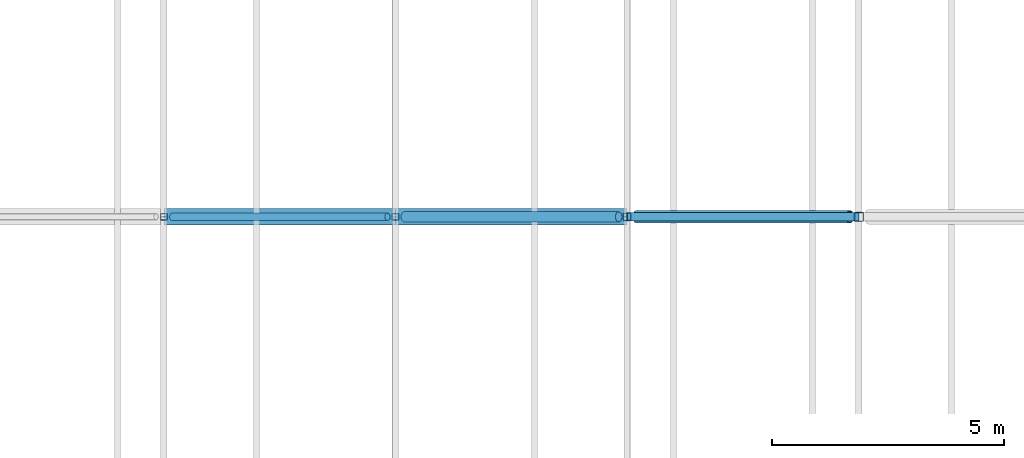
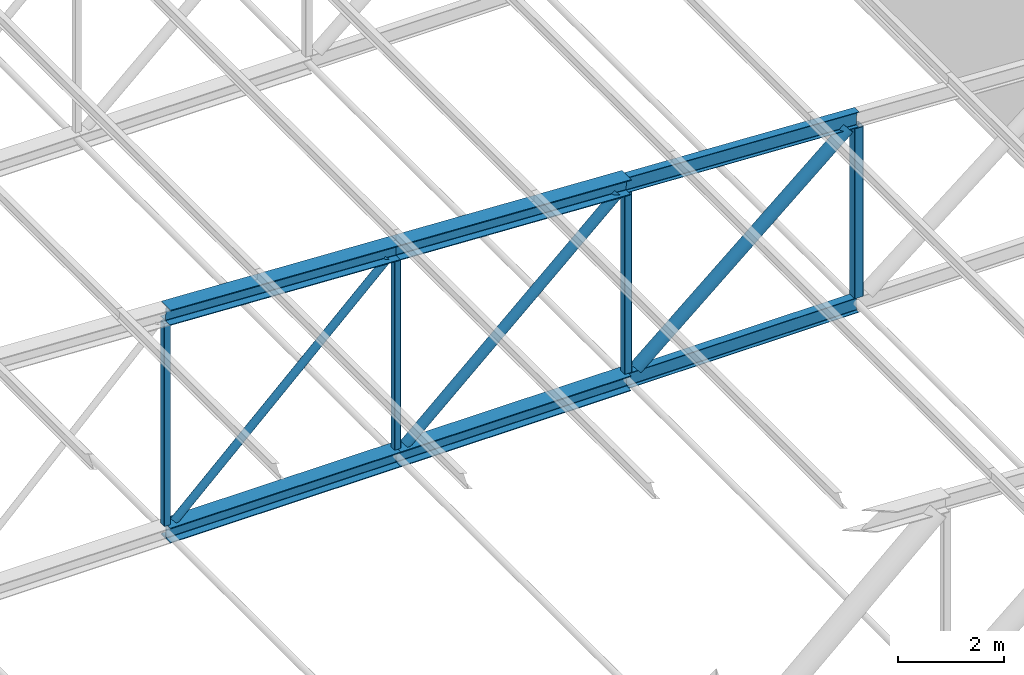
# One storey, part 117 of 156: 13 members.
"""IFC4 building model written with IfcOpenShell, lengths in metres."""

from ifc_helpers import new_model, si_unit, direction, frame, origin, origin_2d, place, context, subcontext, project, spatial, hollow_rectangle, hollow_circle, i_section, extrude, material, material_profile, profile_set, type_object, element, save


model = new_model("IFC4")

# Units and contexts
model_context = context("Model", 3, precision=1e-05, world=origin(), true_north=direction((0.0, 1.0)))
body_context = subcontext(model_context, "Body", "Model", "MODEL_VIEW")
ifc_project = project(units=[si_unit("LENGTHUNIT", "METRE"), si_unit("AREAUNIT", "SQUARE_METRE"), si_unit("VOLUMEUNIT", "CUBIC_METRE"), si_unit("PLANEANGLEUNIT", "RADIAN"), si_unit("MASSUNIT", "GRAM", prefix="KILO")], contexts=[model_context])

# Site, building, storey
site_placement = place(None, origin())
site = spatial("IfcSite", under=ifc_project, at=site_placement, CompositionType="ELEMENT")
building_placement = place(site_placement, origin())
building = spatial("IfcBuilding", under=site, at=building_placement, Name="Lilac Gate Convention Centre", CompositionType="ELEMENT")
storey_placement = place(building_placement, frame((0.0, 0.0, 17.0)))
storey = spatial("IfcBuildingStorey", under=building, at=storey_placement, Name="L03", CompositionType="ELEMENT", Elevation=17.0)

# Members
ifc_material = material(Name="Steel Q355B", Category="steel")
ifc_material_profile_1 = material_profile(ifc_material, i_section(OverallWidth=0.175048828125, OverallDepth=0.35009765625, WebThickness=0.007080078125, FlangeThickness=0.010986328125, FilletRadius=0.012939453125, at=origin_2d()), Name="HN350x175x7x11")
ifc_profile_set_1 = profile_set([ifc_material_profile_1], Name="Steel Q355B")
member_type_1 = type_object("IfcMemberType", Name="Truss bottom chord HN350x175x7x11", PredefinedType="CHORD", material=ifc_profile_set_1)
member_1_placement = place(storey_placement, frame((80.0, 162.0, 0.0), z_axis=(1.0, 0.0, 0.0), x_axis=(0.0, 1.0, 0.0)))
element("IfcMember", 1, at=member_1_placement, inside=storey, type_object=member_type_1, Name="TB1 truss 12 bottom chord 11", PredefinedType="CHORD", context=body_context, shape_type="SweptSolid", body=[
    extrude(i_section(OverallWidth=0.175048828125, OverallDepth=0.35009765625, WebThickness=0.007080078125, FlangeThickness=0.010986328125, FilletRadius=0.012939453125, at=origin_2d()), origin(), (0.0, 0.0, 1.0), 5.0),
])
ifc_material_profile_2 = material_profile(ifc_material, i_section(OverallWidth=0.35009765625, OverallDepth=0.35009765625, WebThickness=0.011962890625, FlangeThickness=0.01904296875, FilletRadius=0.012939453125, at=origin_2d()), Name="HW350x350x12x19")
ifc_profile_set_2 = profile_set([ifc_material_profile_2], Name="Steel Q355B")
member_type_2 = type_object("IfcMemberType", Name="Truss bottom chord HW350x350x12x19", PredefinedType="CHORD", material=ifc_profile_set_2)
for number, where, z_axis, x_axis, name in (
    (2, (70.0, 162.0, 0.0), (1.0, 0.0, 0.0), (0.0, 1.0, 0.0), "TB2 truss 12 bottom chord 9"),
    (3, (75.0, 162.0, 0.0), (1.0, 0.0, 0.0), (0.0, 1.0, 0.0), "TB2 truss 12 bottom chord 10"),
):
    element("IfcMember", number, at=place(storey_placement, frame(where, z_axis=z_axis, x_axis=x_axis)), inside=storey, type_object=member_type_2, Name=name, PredefinedType="CHORD", context=body_context, shape_type="SweptSolid", body=[
        extrude(i_section(OverallWidth=0.35009765625, OverallDepth=0.35009765625, WebThickness=0.011962890625, FlangeThickness=0.01904296875, FilletRadius=0.012939453125, at=origin_2d()), origin(), (0.0, 0.0, 1.0), 5.0),
    ])
ifc_material_profile_3 = material_profile(ifc_material, hollow_circle(Radius=0.084228515625, WallThickness=0.006103515625, at=origin_2d()), Name="CHS168.3x6")
ifc_profile_set_3 = profile_set([ifc_material_profile_3], Name="Steel Q355B")
member_type_3 = type_object("IfcMemberType", Name="Truss diagonal CHS168.3x6", PredefinedType="BRACE", material=ifc_profile_set_3)
member_2_placement = place(storey_placement, frame((74.8271484375, 162.0, 4.585693359375), z_axis=(-0.725020373275, 0.0, -0.688727419475), x_axis=(0.0, -1.0, 0.0)))
element("IfcMember", 4, at=member_2_placement, inside=storey, type_object=member_type_3, Name="TW4 truss 12 diagonal 9", PredefinedType="BRACE", context=body_context, shape_type="SweptSolid", body=[
    extrude(hollow_circle(Radius=0.084228515625, WallThickness=0.006103515625, at=origin_2d()), origin(), (0.0, 0.0, 1.0), 6.404052734375),
])
ifc_material_profile_4 = material_profile(ifc_material, hollow_circle(Radius=0.109619140625, WallThickness=0.008056640625, at=origin_2d()), Name="CHS219.1x8")
ifc_profile_set_4 = profile_set([ifc_material_profile_4], Name="Steel Q355B")
member_type_4 = type_object("IfcMemberType", Name="Truss diagonal CHS219.1x8", PredefinedType="BRACE", material=ifc_profile_set_4)
member_3_placement = place(storey_placement, frame((79.8173828125, 162.0, 4.335693359375), z_axis=(-0.743301953498, 0.0, -0.668956056797), x_axis=(0.0, -1.0, 0.0)))
element("IfcMember", 5, at=member_3_placement, inside=storey, type_object=member_type_4, Name="TW3 truss 12 diagonal 10", PredefinedType="BRACE", context=body_context, shape_type="SweptSolid", body=[
    extrude(hollow_circle(Radius=0.109619140625, WallThickness=0.008056640625, at=origin_2d()), origin(), (0.0, 0.0, 1.0), 6.2197265625),
])
ifc_material_profile_5 = material_profile(ifc_material, hollow_circle(Radius=0.136474609375, WallThickness=0.010009765625, at=origin_2d()), Name="CHS273x10")
ifc_profile_set_5 = profile_set([ifc_material_profile_5], Name="Steel Q355B")
member_type_5 = type_object("IfcMemberType", Name="Truss diagonal CHS273x10", PredefinedType="BRACE", material=ifc_profile_set_5)
member_4_placement = place(storey_placement, frame((84.806884765625, 162.0, 4.085693359375), z_axis=(-0.761961263863, 0.0, -0.647622600263), x_axis=(0.0, -1.0, 0.0)))
element("IfcMember", 6, at=member_4_placement, inside=storey, type_object=member_type_5, Name="TW2 truss 12 diagonal 11", PredefinedType="BRACE", context=body_context, shape_type="SweptSolid", body=[
    extrude(hollow_circle(Radius=0.136474609375, WallThickness=0.010009765625, at=origin_2d()), origin(), (0.0, 0.0, 1.0), 6.03857421875),
])
ifc_material_profile_6 = material_profile(ifc_material, i_section(OverallWidth=0.175048828125, OverallDepth=0.35009765625, WebThickness=0.007080078125, FlangeThickness=0.010986328125, FilletRadius=0.012939453125, at=origin_2d()), Name="HN350x175x7x11")
ifc_profile_set_6 = profile_set([ifc_material_profile_6], Name="Steel Q355B")
member_type_6 = type_object("IfcMemberType", Name="Truss top chord HN350x175x7x11", PredefinedType="CHORD", material=ifc_profile_set_6)
member_5_placement = place(storey_placement, frame((80.0, 162.0, 4.5), z_axis=(0.998752338878, 0.0, -0.049937616944), x_axis=(0.0, 1.0, 0.0)))
element("IfcMember", 7, at=member_5_placement, inside=storey, type_object=member_type_6, Name="TT1 truss 12 top chord 11", PredefinedType="CHORD", context=body_context, shape_type="SweptSolid", body=[
    extrude(i_section(OverallWidth=0.175048828125, OverallDepth=0.35009765625, WebThickness=0.007080078125, FlangeThickness=0.010986328125, FilletRadius=0.012939453125, at=origin_2d()), origin(), (0.0, 0.0, 1.0), 5.00634765625),
])
ifc_material_profile_7 = material_profile(ifc_material, i_section(OverallWidth=0.35009765625, OverallDepth=0.35009765625, WebThickness=0.011962890625, FlangeThickness=0.01904296875, FilletRadius=0.012939453125, at=origin_2d()), Name="HW350x350x12x19")
ifc_profile_set_7 = profile_set([ifc_material_profile_7], Name="Steel Q355B")
member_type_7 = type_object("IfcMemberType", Name="Truss top chord HW350x350x12x19", PredefinedType="CHORD", material=ifc_profile_set_7)
for number, where, z_axis, x_axis, name in (
    (8, (70.0, 162.0, 5.0), (0.998752338878, 0.0, -0.049937616944), (0.0, 1.0, 0.0), "TT2 truss 12 top chord 9"),
    (9, (75.0, 162.0, 4.75), (0.998752338878, 0.0, -0.049937616944), (0.0, 1.0, 0.0), "TT2 truss 12 top chord 10"),
):
    element("IfcMember", number, at=place(storey_placement, frame(where, z_axis=z_axis, x_axis=x_axis)), inside=storey, type_object=member_type_7, Name=name, PredefinedType="CHORD", context=body_context, shape_type="SweptSolid", body=[
        extrude(i_section(OverallWidth=0.35009765625, OverallDepth=0.35009765625, WebThickness=0.011962890625, FlangeThickness=0.01904296875, FilletRadius=0.012939453125, at=origin_2d()), origin(), (0.0, 0.0, 1.0), 5.00634765625),
    ])
ifc_material_profile_8 = material_profile(ifc_material, hollow_rectangle(XDim=0.139892578125, YDim=0.139892578125, WallThickness=0.0048828125, InnerFilletRadius=0.0048828125, OuterFilletRadius=0.010009765625, at=origin_2d()), Name="SHS140x140x5")
ifc_profile_set_8 = profile_set([ifc_material_profile_8], Name="Steel Q355B")
member_type_8 = type_object("IfcMemberType", Name="Truss vertical SHS140x140x5", PredefinedType="STRUT", material=ifc_profile_set_8)
member_6_placement = place(storey_placement, frame((70.0, 162.0, 0.175048828125), z_axis=(0.0, 0.0, 1.0), x_axis=(1.0, 0.0, 0.0)))
element("IfcMember", 10, at=member_6_placement, inside=storey, type_object=member_type_8, Name="TV4 truss 12 vertical 9", PredefinedType="STRUT", context=body_context, shape_type="SweptSolid", body=[
    extrude(hollow_rectangle(XDim=0.139892578125, YDim=0.139892578125, WallThickness=0.0048828125, InnerFilletRadius=0.0048828125, OuterFilletRadius=0.010009765625, at=origin_2d()), origin(), (0.0, 0.0, 1.0), 4.649658203125),
])
member_7_placement = place(storey_placement, frame((75.0, 162.0, 0.175048828125), z_axis=(0.0, 0.0, 1.0), x_axis=(1.0, 0.0, 0.0)))
element("IfcMember", 11, at=member_7_placement, inside=storey, type_object=member_type_8, Name="TV4 truss 12 vertical 10", PredefinedType="STRUT", context=body_context, shape_type="SweptSolid", body=[
    extrude(hollow_rectangle(XDim=0.139892578125, YDim=0.139892578125, WallThickness=0.0048828125, InnerFilletRadius=0.0048828125, OuterFilletRadius=0.010009765625, at=origin_2d()), origin(), (0.0, 0.0, 1.0), 4.399658203125),
])
ifc_material_profile_9 = material_profile(ifc_material, hollow_rectangle(XDim=0.159912109375, YDim=0.159912109375, WallThickness=0.006103515625, InnerFilletRadius=0.006103515625, OuterFilletRadius=0.011962890625, at=origin_2d()), Name="SHS160x160x6")
ifc_profile_set_9 = profile_set([ifc_material_profile_9], Name="Steel Q355B")
member_type_9 = type_object("IfcMemberType", Name="Truss vertical SHS160x160x6", PredefinedType="STRUT", material=ifc_profile_set_9)
member_8_placement = place(storey_placement, frame((80.0, 162.0, 0.175048828125), z_axis=(0.0, 0.0, 1.0), x_axis=(1.0, 0.0, 0.0)))
element("IfcMember", 12, at=member_8_placement, inside=storey, type_object=member_type_9, Name="TV3 truss 12 vertical 11", PredefinedType="STRUT", context=body_context, shape_type="SweptSolid", body=[
    extrude(hollow_rectangle(XDim=0.159912109375, YDim=0.159912109375, WallThickness=0.006103515625, InnerFilletRadius=0.006103515625, OuterFilletRadius=0.011962890625, at=origin_2d()), origin(), (0.0, 0.0, 1.0), 4.149658203125),
])
ifc_material_profile_10 = material_profile(ifc_material, hollow_rectangle(XDim=0.199951171875, YDim=0.199951171875, WallThickness=0.008056640625, InnerFilletRadius=0.011962890625, OuterFilletRadius=0.02001953125, at=origin_2d()), Name="SHS200x200x8")
ifc_profile_set_10 = profile_set([ifc_material_profile_10], Name="Steel Q355B")
member_type_10 = type_object("IfcMemberType", Name="Truss vertical SHS200x200x8", PredefinedType="STRUT", material=ifc_profile_set_10)
member_9_placement = place(storey_placement, frame((85.0, 162.0, 0.175048828125), z_axis=(0.0, 0.0, 1.0), x_axis=(1.0, 0.0, 0.0)))
element("IfcMember", 13, at=member_9_placement, inside=storey, type_object=member_type_10, Name="TV2 truss 12 vertical 12", PredefinedType="STRUT", context=body_context, shape_type="SweptSolid", body=[
    extrude(hollow_rectangle(XDim=0.199951171875, YDim=0.199951171875, WallThickness=0.008056640625, InnerFilletRadius=0.011962890625, OuterFilletRadius=0.02001953125, at=origin_2d()), origin(), (0.0, 0.0, 1.0), 3.899658203125),
])

save(model, "model.ifc")
